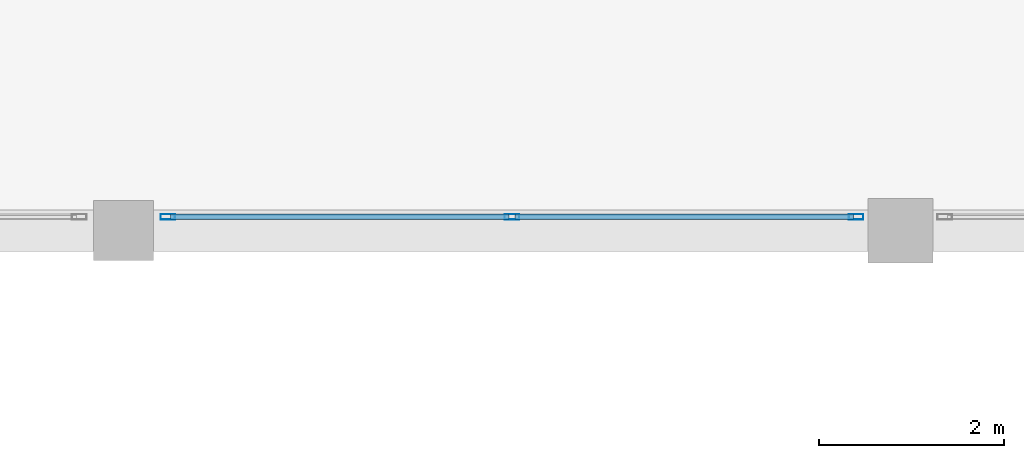
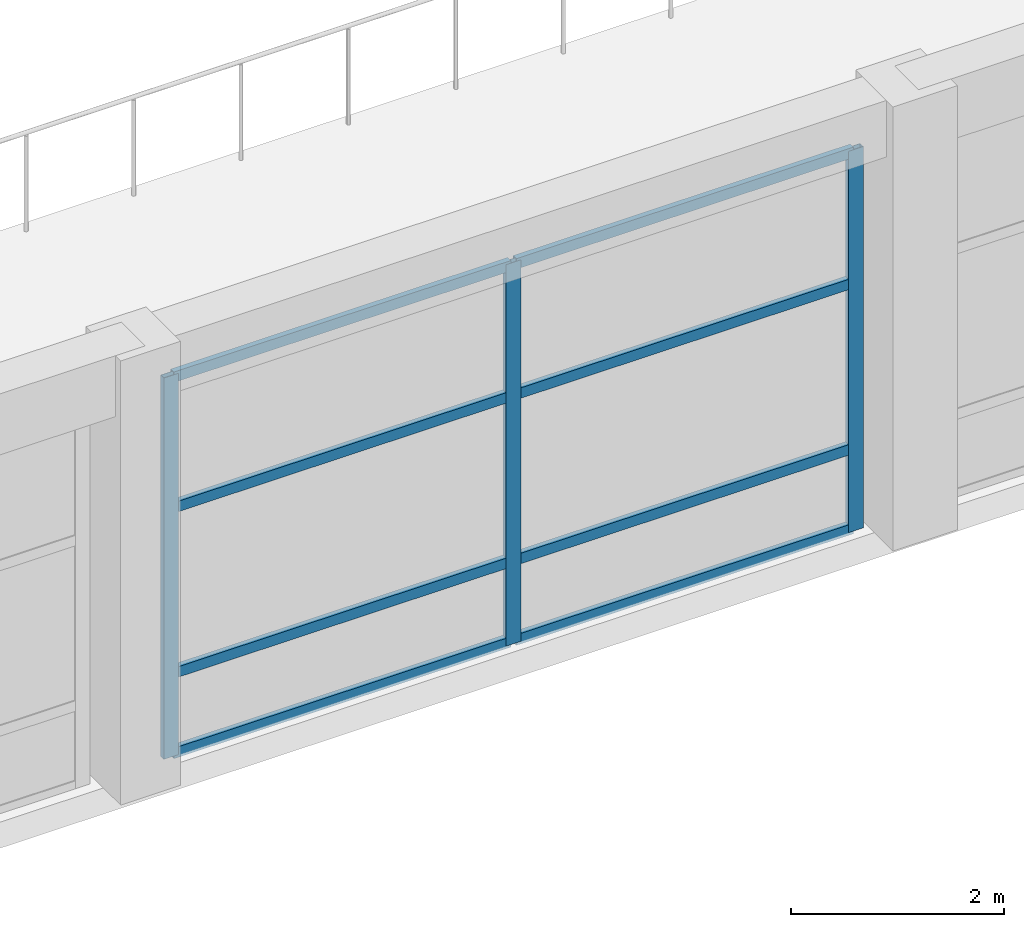
# One storey, part 13 of 65: 11 members, 1 element without a shape of its own.
"""IFC4 building model written with IfcOpenShell, lengths in metres."""

from ifc_helpers import new_model, si_unit, direction, frame, origin, origin_2d, place, context, subcontext, project, spatial, hollow_rectangle, extrude, material, material_profile, profile_set, type_object, element, aggregate, save


model = new_model("IFC4")

# Units and contexts
model_context = context("Model", 3, precision=1e-05, world=origin(), true_north=direction((0.0, 1.0)))
body_context = subcontext(model_context, "Body", "Model", "MODEL_VIEW")
ifc_project = project(units=[si_unit("LENGTHUNIT", "METRE"), si_unit("AREAUNIT", "SQUARE_METRE"), si_unit("VOLUMEUNIT", "CUBIC_METRE"), si_unit("PLANEANGLEUNIT", "RADIAN"), si_unit("MASSUNIT", "GRAM", prefix="KILO")], contexts=[model_context])

# Site, building, storey
site_placement = place(None, origin())
site = spatial("IfcSite", under=ifc_project, at=site_placement, CompositionType="ELEMENT")
building_placement = place(site_placement, origin())
building = spatial("IfcBuilding", under=site, at=building_placement, Name="Almacenes y Pasaje Nevantli", CompositionType="ELEMENT")
storey_placement = place(building_placement, frame((0.0, 0.0, 16.800048828125)))
storey = spatial("IfcBuildingStorey", under=building, at=storey_placement, Name="L04", CompositionType="ELEMENT", Elevation=16.800048828125)

# Curtain wall, members
ifc_material_1 = material(Name="Thermally Broken Aluminium and Low-E Glass", Category="aluminium")
curtain_wall_type = type_object("IfcCurtainWallType", Name="CW-STF-ARCADE", PredefinedType="USERDEFINED", material=ifc_material_1)
curtain_wall_placement = place(storey_placement, origin())
curtain_wall = element("IfcCurtainWall", 1, at=curtain_wall_placement, inside=storey, type_object=curtain_wall_type, Name="L04 South Arcade Portal Curtain Wall Bay 10", ObjectType="STOREFRONT GLAZING", PredefinedType="USERDEFINED")
ifc_material_2 = material(Name="Thermally Broken Anodized Aluminium", Category="aluminium")
ifc_material_profile_1 = material_profile(ifc_material_2, hollow_rectangle(XDim=0.06005859375, YDim=0.159912109375, WallThickness=0.00390625, at=origin_2d()), Name="ALU-MUL-60x160")
ifc_profile_set_1 = profile_set([ifc_material_profile_1], Name="Thermally Broken Anodized Aluminium")
member_type_1 = type_object("IfcMemberType", Name="CW-MUL-180", PredefinedType="MULLION", material=ifc_profile_set_1)
member_1_placement = place(storey_placement, frame((76.080078125, 0.14990234375, 0.0), z_axis=(0.0, 0.0, 1.0), x_axis=(0.0, 1.0, 0.0)))
member_1 = element("IfcMember", 2, at=member_1_placement, type_object=member_type_1, Name="CW-L04-071 mullion 1", PredefinedType="MULLION", context=body_context, shape_type="SweptSolid", body=[
    extrude(hollow_rectangle(XDim=0.06005859375, YDim=0.159912109375, WallThickness=0.00390625, at=origin_2d()), origin(), (0.0, 0.0, 1.0), 4.3798828125),
])
member_2_placement = place(storey_placement, frame((79.800048828125, 0.14990234375, 0.0), z_axis=(0.0, 0.0, 1.0), x_axis=(0.0, 1.0, 0.0)))
member_2 = element("IfcMember", 3, at=member_2_placement, type_object=member_type_1, Name="CW-L04-071 mullion 2", PredefinedType="MULLION", context=body_context, shape_type="SweptSolid", body=[
    extrude(hollow_rectangle(XDim=0.06005859375, YDim=0.159912109375, WallThickness=0.00390625, at=origin_2d()), origin(), (0.0, 0.0, 1.0), 4.3798828125),
])
member_3_placement = place(storey_placement, frame((83.52001953125, 0.14990234375, 0.0), z_axis=(0.0, 0.0, 1.0), x_axis=(0.0, 1.0, 0.0)))
member_3 = element("IfcMember", 4, at=member_3_placement, type_object=member_type_1, Name="CW-L04-071 mullion 3", PredefinedType="MULLION", context=body_context, shape_type="SweptSolid", body=[
    extrude(hollow_rectangle(XDim=0.06005859375, YDim=0.159912109375, WallThickness=0.00390625, at=origin_2d()), origin(), (0.0, 0.0, 1.0), 4.3798828125),
])
ifc_material_3 = material(Name="Thermally Broken Anodized Aluminium", Category="aluminium")
ifc_material_profile_2 = material_profile(ifc_material_3, hollow_rectangle(XDim=0.06005859375, YDim=0.1201171875, WallThickness=0.00341796875, at=origin_2d()), Name="ALU-TRN-60x120")
ifc_profile_set_2 = profile_set([ifc_material_profile_2], Name="Thermally Broken Anodized Aluminium")
member_type_2 = type_object("IfcMemberType", Name="CW-TRN-130", PredefinedType="USERDEFINED", material=ifc_profile_set_2)
member_4_placement = place(storey_placement, frame((76.110107421875, 0.14990234375, 0.030029296875), z_axis=(1.0, 0.0, 0.0), x_axis=(0.0, 1.0, 0.0)))
member_4 = element("IfcMember", 5, at=member_4_placement, type_object=member_type_2, Name="CW-L04-071 transom 1.1", ObjectType="TRANSOM", PredefinedType="USERDEFINED", context=body_context, shape_type="SweptSolid", body=[
    extrude(hollow_rectangle(XDim=0.06005859375, YDim=0.1201171875, WallThickness=0.00341796875, at=origin_2d()), origin(), (0.0, 0.0, 1.0), 3.659912109375),
])
member_5_placement = place(storey_placement, frame((76.110107421875, 0.14990234375, 0.949951171875), z_axis=(1.0, 0.0, 0.0), x_axis=(0.0, 1.0, 0.0)))
member_5 = element("IfcMember", 6, at=member_5_placement, type_object=member_type_2, Name="CW-L04-071 transom 1.2", ObjectType="TRANSOM", PredefinedType="USERDEFINED", context=body_context, shape_type="SweptSolid", body=[
    extrude(hollow_rectangle(XDim=0.06005859375, YDim=0.1201171875, WallThickness=0.00341796875, at=origin_2d()), origin(), (0.0, 0.0, 1.0), 3.659912109375),
])
member_6_placement = place(storey_placement, frame((76.110107421875, 0.14990234375, 2.849853515625), z_axis=(1.0, 0.0, 0.0), x_axis=(0.0, 1.0, 0.0)))
member_6 = element("IfcMember", 7, at=member_6_placement, type_object=member_type_2, Name="CW-L04-071 transom 1.3", ObjectType="TRANSOM", PredefinedType="USERDEFINED", context=body_context, shape_type="SweptSolid", body=[
    extrude(hollow_rectangle(XDim=0.06005859375, YDim=0.1201171875, WallThickness=0.00341796875, at=origin_2d()), origin(), (0.0, 0.0, 1.0), 3.659912109375),
])
member_7_placement = place(storey_placement, frame((76.110107421875, 0.14990234375, 4.349853515625), z_axis=(1.0, 0.0, 0.0), x_axis=(0.0, 1.0, 0.0)))
member_7 = element("IfcMember", 8, at=member_7_placement, type_object=member_type_2, Name="CW-L04-071 transom 1.4", ObjectType="TRANSOM", PredefinedType="USERDEFINED", context=body_context, shape_type="SweptSolid", body=[
    extrude(hollow_rectangle(XDim=0.06005859375, YDim=0.1201171875, WallThickness=0.00341796875, at=origin_2d()), origin(), (0.0, 0.0, 1.0), 3.659912109375),
])
member_8_placement = place(storey_placement, frame((79.830078125, 0.14990234375, 0.030029296875), z_axis=(1.0, 0.0, 0.0), x_axis=(0.0, 1.0, 0.0)))
member_8 = element("IfcMember", 9, at=member_8_placement, type_object=member_type_2, Name="CW-L04-071 transom 2.1", ObjectType="TRANSOM", PredefinedType="USERDEFINED", context=body_context, shape_type="SweptSolid", body=[
    extrude(hollow_rectangle(XDim=0.06005859375, YDim=0.1201171875, WallThickness=0.00341796875, at=origin_2d()), origin(), (0.0, 0.0, 1.0), 3.659912109375),
])
member_9_placement = place(storey_placement, frame((79.830078125, 0.14990234375, 0.949951171875), z_axis=(1.0, 0.0, 0.0), x_axis=(0.0, 1.0, 0.0)))
member_9 = element("IfcMember", 10, at=member_9_placement, type_object=member_type_2, Name="CW-L04-071 transom 2.2", ObjectType="TRANSOM", PredefinedType="USERDEFINED", context=body_context, shape_type="SweptSolid", body=[
    extrude(hollow_rectangle(XDim=0.06005859375, YDim=0.1201171875, WallThickness=0.00341796875, at=origin_2d()), origin(), (0.0, 0.0, 1.0), 3.659912109375),
])
member_10_placement = place(storey_placement, frame((79.830078125, 0.14990234375, 2.849853515625), z_axis=(1.0, 0.0, 0.0), x_axis=(0.0, 1.0, 0.0)))
member_10 = element("IfcMember", 11, at=member_10_placement, type_object=member_type_2, Name="CW-L04-071 transom 2.3", ObjectType="TRANSOM", PredefinedType="USERDEFINED", context=body_context, shape_type="SweptSolid", body=[
    extrude(hollow_rectangle(XDim=0.06005859375, YDim=0.1201171875, WallThickness=0.00341796875, at=origin_2d()), origin(), (0.0, 0.0, 1.0), 3.659912109375),
])
member_11_placement = place(storey_placement, frame((79.830078125, 0.14990234375, 4.349853515625), z_axis=(1.0, 0.0, 0.0), x_axis=(0.0, 1.0, 0.0)))
member_11 = element("IfcMember", 12, at=member_11_placement, type_object=member_type_2, Name="CW-L04-071 transom 2.4", ObjectType="TRANSOM", PredefinedType="USERDEFINED", context=body_context, shape_type="SweptSolid", body=[
    extrude(hollow_rectangle(XDim=0.06005859375, YDim=0.1201171875, WallThickness=0.00341796875, at=origin_2d()), origin(), (0.0, 0.0, 1.0), 3.659912109375),
])
aggregate(curtain_wall, [member_1, member_2, member_3, member_4, member_5, member_6, member_7, member_8, member_9, member_10, member_11])

save(model, "model.ifc")
